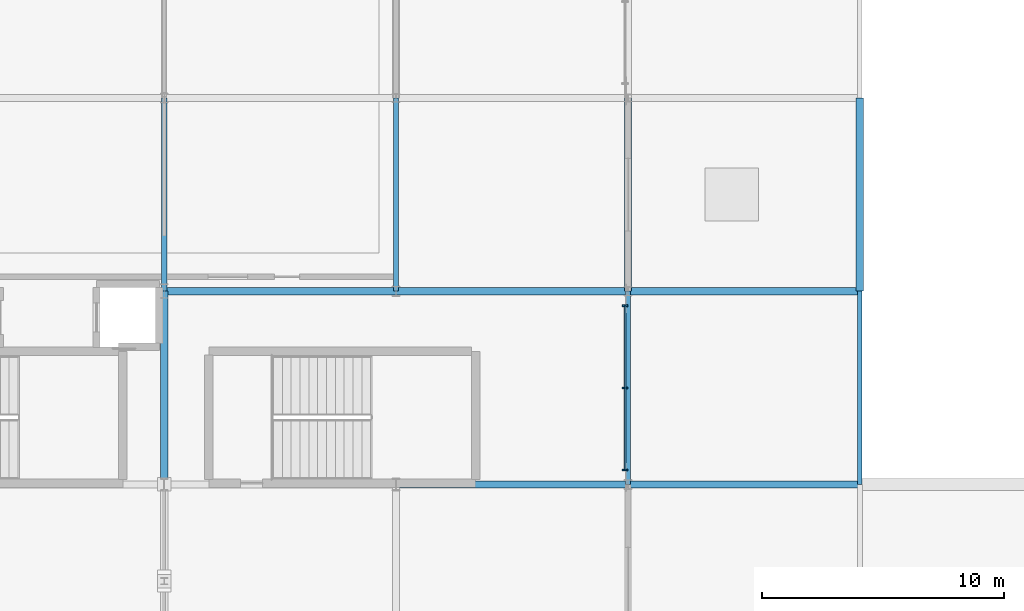
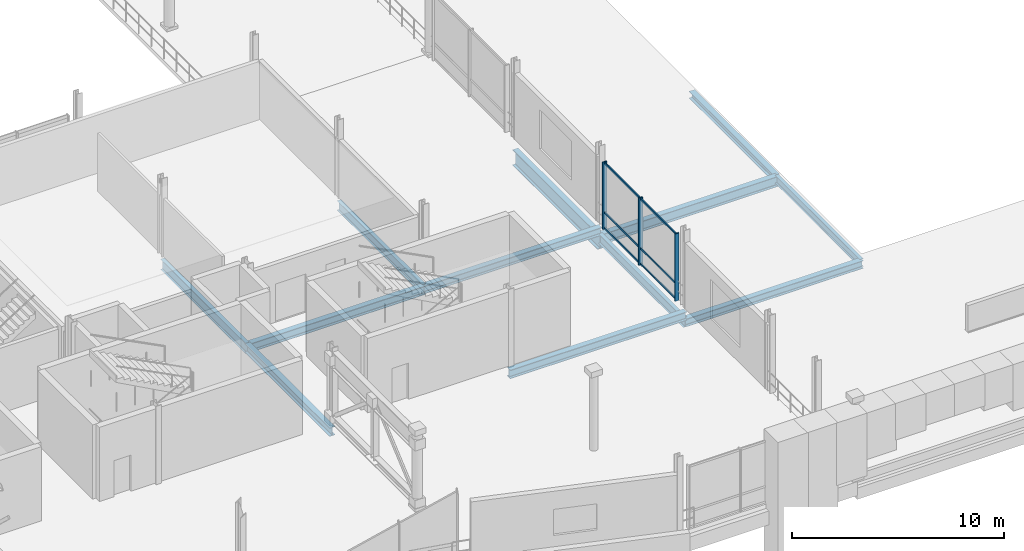
# One storey, part 40 of 193: 12 beams, 6 members, 1 element without a shape of its own.
"""IFC4 building model written with IfcOpenShell, lengths in metres."""

from ifc_helpers import new_model, si_unit, direction, frame, origin, origin_2d, place, context, subcontext, project, spatial, rectangle, i_section, extrude, material, material_profile, profile_set, type_object, element, aggregate, save


model = new_model("IFC4")

# Units and contexts
model_context = context("Model", 3, precision=1e-05, world=origin(), true_north=direction((0.0, 1.0)))
body_context = subcontext(model_context, "Body", "Model", "MODEL_VIEW")
ifc_project = project(units=[si_unit("LENGTHUNIT", "METRE"), si_unit("AREAUNIT", "SQUARE_METRE"), si_unit("VOLUMEUNIT", "CUBIC_METRE"), si_unit("PLANEANGLEUNIT", "RADIAN"), si_unit("MASSUNIT", "GRAM", prefix="KILO")], contexts=[model_context])

# Site, building, storey
site_placement = place(None, origin())
site = spatial("IfcSite", under=ifc_project, at=site_placement, CompositionType="ELEMENT")
building_placement = place(site_placement, origin())
building = spatial("IfcBuilding", under=site, at=building_placement, Name="Danafjord Basin Convention Centre", CompositionType="ELEMENT")
storey_placement = place(building_placement, frame((0.0, 0.0, 11.39990234375)))
storey = spatial("IfcBuildingStorey", under=building, at=storey_placement, Name="L02", CompositionType="ELEMENT", Elevation=11.39990234375)

# Beams
ifc_material_1 = material(Name="Steel S355", Category="steel")
ifc_material_profile_1 = material_profile(ifc_material_1, i_section(OverallWidth=0.300048828125, OverallDepth=0.590087890625, WebThickness=0.012939453125, FlangeThickness=0.02490234375, FilletRadius=0.027099609375, at=origin_2d()), Name="HEA 600")
ifc_profile_set_1 = profile_set([ifc_material_profile_1], Name="Steel S355")
beam_type_1 = type_object("IfcBeamType", Name="BEAM-BM-HEA600", PredefinedType="BEAM", material=ifc_profile_set_1)
beam_1_placement = place(storey_placement, frame((115.199951171875, 24.0, -0.9599609375), z_axis=(1.0, 0.0, 0.0), x_axis=(0.0, 1.0, 0.0)))
element("IfcBeam", 1, at=beam_1_placement, inside=storey, type_object=beam_type_1, Name="L02 girder BM-HEA600", PredefinedType="BEAM", context=body_context, shape_type="SweptSolid", body=[
    extrude(i_section(OverallWidth=0.300048828125, OverallDepth=0.590087890625, WebThickness=0.012939453125, FlangeThickness=0.02490234375, FilletRadius=0.027099609375, at=origin_2d()), origin(), (0.0, 0.0, 1.0), 9.60009765625),
])
ifc_material_profile_2 = material_profile(ifc_material_1, i_section(OverallWidth=0.300048828125, OverallDepth=0.449951171875, WebThickness=0.013916015625, FlangeThickness=0.02587890625, FilletRadius=0.027099609375, at=origin_2d()), Name="HEB 450")
ifc_profile_set_2 = profile_set([ifc_material_profile_2], Name="Steel S355")
beam_type_2 = type_object("IfcBeamType", Name="BEAM-BM-HEB450", PredefinedType="BEAM", material=ifc_profile_set_2)
beam_2_placement = place(storey_placement, frame((105.60009765625, 24.0, -0.474853515625), z_axis=(1.0, 0.0, 0.0), x_axis=(0.0, 1.0, 0.0)))
element("IfcBeam", 2, at=beam_2_placement, inside=storey, type_object=beam_type_2, Name="L02 girder BM-HEB450", PredefinedType="BEAM", context=body_context, shape_type="SweptSolid", body=[
    extrude(i_section(OverallWidth=0.300048828125, OverallDepth=0.449951171875, WebThickness=0.013916015625, FlangeThickness=0.02587890625, FilletRadius=0.027099609375, at=origin_2d()), origin(), (0.0, 0.0, 1.0), 9.599853515625),
])
beam_3_placement = place(storey_placement, frame((115.199951171875, 16.0, -0.889892578125), z_axis=(1.0, 0.0, 0.0), x_axis=(0.0, 1.0, 0.0)))
element("IfcBeam", 3, at=beam_3_placement, inside=storey, type_object=beam_type_2, Name="L02 girder BM-HEB450", PredefinedType="BEAM", context=body_context, shape_type="SweptSolid", body=[
    extrude(i_section(OverallWidth=0.300048828125, OverallDepth=0.449951171875, WebThickness=0.013916015625, FlangeThickness=0.02587890625, FilletRadius=0.027099609375, at=origin_2d()), origin(), (0.0, 0.0, 1.0), 9.60009765625),
])
ifc_material_profile_3 = material_profile(ifc_material_1, i_section(OverallWidth=0.300048828125, OverallDepth=0.5, WebThickness=0.014404296875, FlangeThickness=0.028076171875, FilletRadius=0.027099609375, at=origin_2d()), Name="HEB 500")
ifc_profile_set_3 = profile_set([ifc_material_profile_3], Name="Steel S355")
beam_type_3 = type_object("IfcBeamType", Name="BEAM-BM-HEB500", PredefinedType="BEAM", material=ifc_profile_set_3)
beam_4_placement = place(storey_placement, frame((96.0, 24.0, -0.5), z_axis=(1.0, 0.0, 0.0), x_axis=(0.0, 1.0, 0.0)))
element("IfcBeam", 4, at=beam_4_placement, inside=storey, type_object=beam_type_3, Name="L02 girder BM-HEB500", PredefinedType="BEAM", context=body_context, shape_type="SweptSolid", body=[
    extrude(i_section(OverallWidth=0.300048828125, OverallDepth=0.5, WebThickness=0.014404296875, FlangeThickness=0.028076171875, FilletRadius=0.027099609375, at=origin_2d()), origin(), (0.0, 0.0, 1.0), 9.60009765625),
])
beam_5_placement = place(storey_placement, frame((105.60009765625, 16.0, -0.5), z_axis=(1.0, 0.0, 0.0), x_axis=(0.0, 1.0, 0.0)))
element("IfcBeam", 5, at=beam_5_placement, inside=storey, type_object=beam_type_3, Name="L02 girder BM-HEB500", PredefinedType="BEAM", context=body_context, shape_type="SweptSolid", body=[
    extrude(i_section(OverallWidth=0.300048828125, OverallDepth=0.5, WebThickness=0.014404296875, FlangeThickness=0.028076171875, FilletRadius=0.027099609375, at=origin_2d()), origin(), (0.0, 0.0, 1.0), 9.599853515625),
])
beam_6_placement = place(storey_placement, frame((96.0, 16.0, -0.5), z_axis=(0.0, 1.0, 0.0), x_axis=(-1.0, 0.0, 0.0)))
element("IfcBeam", 6, at=beam_6_placement, inside=storey, type_object=beam_type_3, Name="L02 transverse girder BM-HEB500", PredefinedType="BEAM", context=body_context, shape_type="SweptSolid", body=[
    extrude(i_section(OverallWidth=0.300048828125, OverallDepth=0.5, WebThickness=0.014404296875, FlangeThickness=0.028076171875, FilletRadius=0.027099609375, at=origin_2d()), origin(), (0.0, 0.0, 1.0), 8.0),
])
ifc_material_profile_4 = material_profile(ifc_material_1, i_section(OverallWidth=0.300048828125, OverallDepth=0.89990234375, WebThickness=0.0185546875, FlangeThickness=0.034912109375, FilletRadius=0.030029296875, at=origin_2d()), Name="HEB 900")
ifc_profile_set_4 = profile_set([ifc_material_profile_4], Name="Steel S355")
beam_type_4 = type_object("IfcBeamType", Name="BEAM-BM-HEB900", PredefinedType="BEAM", material=ifc_profile_set_4)
beam_7_placement = place(storey_placement, frame((115.199951171875, 24.0, -1.114990234375), z_axis=(0.0, 1.0, 0.0), x_axis=(-1.0, 0.0, 0.0)))
element("IfcBeam", 7, at=beam_7_placement, inside=storey, type_object=beam_type_4, Name="L02 transverse girder BM-HEB900", PredefinedType="BEAM", context=body_context, shape_type="SweptSolid", body=[
    extrude(i_section(OverallWidth=0.300048828125, OverallDepth=0.89990234375, WebThickness=0.0185546875, FlangeThickness=0.034912109375, FilletRadius=0.030029296875, at=origin_2d()), origin(), (0.0, 0.0, 1.0), 8.0),
])
ifc_material_profile_5 = material_profile(ifc_material_1, i_section(OverallWidth=0.2099609375, OverallDepth=0.550048828125, WebThickness=0.010986328125, FlangeThickness=0.01708984375, FilletRadius=0.02392578125, at=origin_2d()), Name="IPE 550")
ifc_profile_set_5 = profile_set([ifc_material_profile_5], Name="Steel S355")
beam_type_5 = type_object("IfcBeamType", Name="BEAM-BM-IPE550", PredefinedType="BEAM", material=ifc_profile_set_5)
for number, where, z_axis, x_axis, name in (
    (8, (105.60009765625, 24.0, -0.52490234375), (0.0, 1.0, 0.0), (-1.0, 0.0, 0.0), "L02 transverse girder BM-IPE550"),
    (9, (115.199951171875, 16.0, -0.93994140625), (0.0, 1.0, 0.0), (-1.0, 0.0, 0.0), "L02 transverse girder BM-IPE550"),
):
    element("IfcBeam", number, at=place(storey_placement, frame(where, z_axis=z_axis, x_axis=x_axis)), inside=storey, type_object=beam_type_5, Name=name, PredefinedType="BEAM", context=body_context, shape_type="SweptSolid", body=[
        extrude(i_section(OverallWidth=0.2099609375, OverallDepth=0.550048828125, WebThickness=0.010986328125, FlangeThickness=0.01708984375, FilletRadius=0.02392578125, at=origin_2d()), origin(), (0.0, 0.0, 1.0), 8.0),
    ])
ifc_material_profile_6 = material_profile(ifc_material_1, i_section(OverallWidth=0.219970703125, OverallDepth=0.60009765625, WebThickness=0.011962890625, FlangeThickness=0.01904296875, FilletRadius=0.02392578125, at=origin_2d()), Name="IPE 600")
ifc_profile_set_6 = profile_set([ifc_material_profile_6], Name="Steel S355")
beam_type_6 = type_object("IfcBeamType", Name="BEAM-BM-IPE600", PredefinedType="BEAM", material=ifc_profile_set_6)
beam_8_placement = place(storey_placement, frame((96.0, 24.0, -0.5498046875), z_axis=(0.0, 1.0, 0.0), x_axis=(-1.0, 0.0, 0.0)))
element("IfcBeam", 10, at=beam_8_placement, inside=storey, type_object=beam_type_6, Name="L02 transverse girder BM-IPE600", PredefinedType="BEAM", context=body_context, shape_type="SweptSolid", body=[
    extrude(i_section(OverallWidth=0.219970703125, OverallDepth=0.60009765625, WebThickness=0.011962890625, FlangeThickness=0.01904296875, FilletRadius=0.02392578125, at=origin_2d()), origin(), (0.0, 0.0, 1.0), 8.0),
])
ifc_material_profile_7 = material_profile(ifc_material_1, i_section(OverallWidth=0.300048828125, OverallDepth=0.39990234375, WebThickness=0.013427734375, FlangeThickness=0.02392578125, FilletRadius=0.027099609375, at=origin_2d()), Name="HEB 400")
ifc_profile_set_7 = profile_set([ifc_material_profile_7], Name="Steel S355")
beam_type_7 = type_object("IfcBeamType", Name="BEAM-SP-HEB400", PredefinedType="SPANDREL", material=ifc_profile_set_7)
beam_9_placement = place(storey_placement, frame((124.800048828125, 24.0, -0.864990234375), z_axis=(0.0, 1.0, 0.0), x_axis=(-1.0, 0.0, 0.0)))
element("IfcBeam", 11, at=beam_9_placement, inside=storey, type_object=beam_type_7, Name="L02 transverse girder SP-HEB400", PredefinedType="SPANDREL", context=body_context, shape_type="SweptSolid", body=[
    extrude(i_section(OverallWidth=0.300048828125, OverallDepth=0.39990234375, WebThickness=0.013427734375, FlangeThickness=0.02392578125, FilletRadius=0.027099609375, at=origin_2d()), origin(), (0.0, 0.0, 1.0), 8.0),
])
ifc_material_profile_8 = material_profile(ifc_material_1, i_section(OverallWidth=0.18994140625, OverallDepth=0.449951171875, WebThickness=0.009521484375, FlangeThickness=0.0146484375, FilletRadius=0.02099609375, at=origin_2d()), Name="IPE 450")
ifc_profile_set_8 = profile_set([ifc_material_profile_8], Name="Steel S355")
beam_type_8 = type_object("IfcBeamType", Name="BEAM-SP-IPE450", PredefinedType="SPANDREL", material=ifc_profile_set_8)
beam_10_placement = place(storey_placement, frame((124.800048828125, 16.0, -0.889892578125), z_axis=(0.0, 1.0, 0.0), x_axis=(-1.0, 0.0, 0.0)))
element("IfcBeam", 12, at=beam_10_placement, inside=storey, type_object=beam_type_8, Name="L02 transverse girder SP-IPE450", PredefinedType="SPANDREL", context=body_context, shape_type="SweptSolid", body=[
    extrude(i_section(OverallWidth=0.18994140625, OverallDepth=0.449951171875, WebThickness=0.009521484375, FlangeThickness=0.0146484375, FilletRadius=0.02099609375, at=origin_2d()), origin(), (0.0, 0.0, 1.0), 8.0),
])

# Curtain wall, members
ifc_material_2 = material(Name="Anodised aluminium and triple glazing", Category="aluminium")
curtain_wall_type = type_object("IfcCurtainWallType", Name="CW-CW-TERR", PredefinedType="NOTDEFINED", material=ifc_material_2)
curtain_wall_placement = place(storey_placement, origin())
curtain_wall = element("IfcCurtainWall", 13, at=curtain_wall_placement, inside=storey, type_object=curtain_wall_type, Name="L02 CW-TERR unitised curtain wall bay 72", PredefinedType="NOTDEFINED")
ifc_material_3 = material(Name="Anodised aluminium EN AW-6060", Category="aluminium")
ifc_material_profile_9 = material_profile(ifc_material_3, rectangle(XDim=0.06494140625, YDim=0.219970703125, at=origin_2d()), Name="MULL 65x220")
ifc_profile_set_9 = profile_set([ifc_material_profile_9], Name="Anodised aluminium EN AW-6060")
member_type_1 = type_object("IfcMemberType", Name="MEM-ML-220", PredefinedType="MULLION", material=ifc_profile_set_9)
member_1_placement = place(storey_placement, frame((115.080078125, 16.60009765625, -0.02490234375), z_axis=(0.0, 0.0, 1.0), x_axis=(0.0, 1.0, 0.0)))
member_1 = element("IfcMember", 14, at=member_1_placement, type_object=member_type_1, Name="CW-L02-072 mullion 1", PredefinedType="MULLION", context=body_context, shape_type="SweptSolid", body=[
    extrude(rectangle(XDim=0.06494140625, YDim=0.219970703125, at=origin_2d()), origin(), (0.0, 0.0, 1.0), 3.885009765625),
])
member_2_placement = place(storey_placement, frame((115.080078125, 20.0, -0.02490234375), z_axis=(0.0, 0.0, 1.0), x_axis=(0.0, 1.0, 0.0)))
member_2 = element("IfcMember", 15, at=member_2_placement, type_object=member_type_1, Name="CW-L02-072 mullion 2", PredefinedType="MULLION", context=body_context, shape_type="SweptSolid", body=[
    extrude(rectangle(XDim=0.06494140625, YDim=0.219970703125, at=origin_2d()), origin(), (0.0, 0.0, 1.0), 3.885009765625),
])
member_3_placement = place(storey_placement, frame((115.080078125, 23.39990234375, -0.02490234375), z_axis=(0.0, 0.0, 1.0), x_axis=(0.0, 1.0, 0.0)))
member_3 = element("IfcMember", 16, at=member_3_placement, type_object=member_type_1, Name="CW-L02-072 mullion 3", PredefinedType="MULLION", context=body_context, shape_type="SweptSolid", body=[
    extrude(rectangle(XDim=0.06494140625, YDim=0.219970703125, at=origin_2d()), origin(), (0.0, 0.0, 1.0), 3.885009765625),
])
ifc_material_profile_10 = material_profile(ifc_material_3, rectangle(XDim=0.06005859375, YDim=0.110107421875, at=origin_2d()), Name="TRAN 60x110")
ifc_profile_set_10 = profile_set([ifc_material_profile_10], Name="Anodised aluminium EN AW-6060")
member_type_2 = type_object("IfcMemberType", Name="MEM-TR-110", PredefinedType="USERDEFINED", material=ifc_profile_set_10)
member_4_placement = place(storey_placement, frame((115.080078125, 16.60009765625, 0.06005859375), z_axis=(0.0, 1.0, 0.0), x_axis=(-1.0, 0.0, 0.0)))
member_4 = element("IfcMember", 17, at=member_4_placement, type_object=member_type_2, Name="CW-L02-072 transom 1", ObjectType="TRANSOM", PredefinedType="USERDEFINED", context=body_context, shape_type="SweptSolid", body=[
    extrude(rectangle(XDim=0.06005859375, YDim=0.110107421875, at=origin_2d()), origin(), (0.0, 0.0, 1.0), 6.7998046875),
])
member_5_placement = place(storey_placement, frame((115.080078125, 16.60009765625, 0.9501953125), z_axis=(0.0, 1.0, 0.0), x_axis=(-1.0, 0.0, 0.0)))
member_5 = element("IfcMember", 18, at=member_5_placement, type_object=member_type_2, Name="CW-L02-072 transom 2", ObjectType="TRANSOM", PredefinedType="USERDEFINED", context=body_context, shape_type="SweptSolid", body=[
    extrude(rectangle(XDim=0.06005859375, YDim=0.110107421875, at=origin_2d()), origin(), (0.0, 0.0, 1.0), 6.7998046875),
])
member_6_placement = place(storey_placement, frame((115.080078125, 16.60009765625, 3.7900390625), z_axis=(0.0, 1.0, 0.0), x_axis=(-1.0, 0.0, 0.0)))
member_6 = element("IfcMember", 19, at=member_6_placement, type_object=member_type_2, Name="CW-L02-072 transom 3", ObjectType="TRANSOM", PredefinedType="USERDEFINED", context=body_context, shape_type="SweptSolid", body=[
    extrude(rectangle(XDim=0.06005859375, YDim=0.110107421875, at=origin_2d()), origin(), (0.0, 0.0, 1.0), 6.7998046875),
])
aggregate(curtain_wall, [member_1, member_2, member_3, member_4, member_5, member_6])

save(model, "model.ifc")
